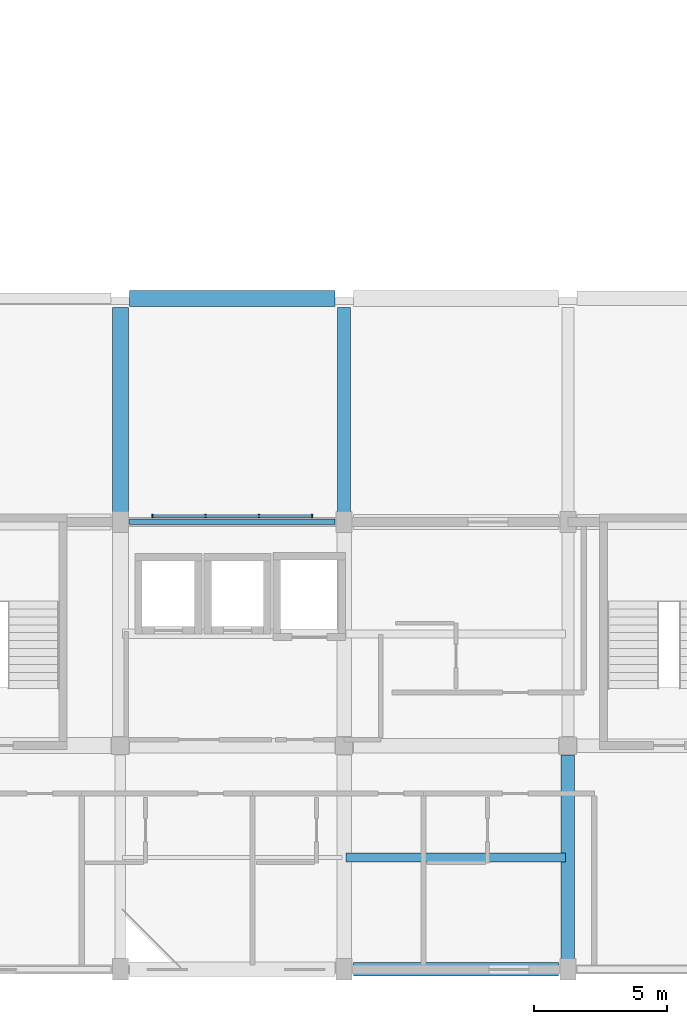
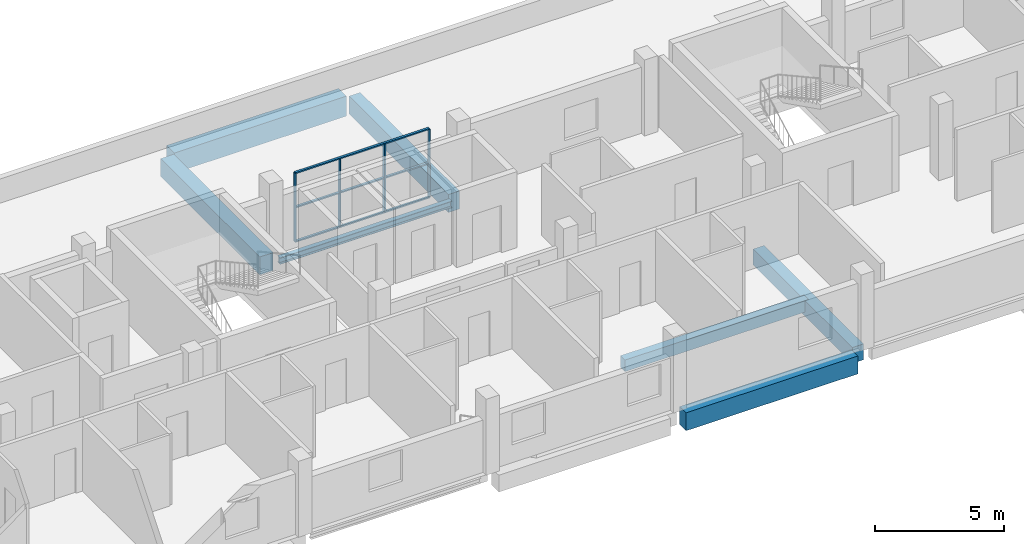
# One storey, part 5 of 42: 7 beams, 7 members, 1 element without a shape of its own.
"""IFC4 building model written with IfcOpenShell, lengths in metres."""

from ifc_helpers import new_model, si_unit, derived_unit, direction, frame, origin, origin_2d, place, context, subcontext, project, spatial, rectangle, i_section, extrude, material, material_profile, profile_set, type_object, element, aggregate, save


model = new_model("IFC4")

# Units and contexts
model_context = context("Model", 3, precision=1e-05, world=origin(), true_north=direction((0.0, 1.0)))
body_context = subcontext(model_context, "Body", "Model", "MODEL_VIEW")
ifc_project = project(units=[si_unit("LENGTHUNIT", "METRE"), si_unit("AREAUNIT", "SQUARE_METRE"), si_unit("VOLUMEUNIT", "CUBIC_METRE"), si_unit("PLANEANGLEUNIT", "RADIAN"), si_unit("MASSUNIT", "GRAM", prefix="KILO"), derived_unit("THERMALTRANSMITTANCEUNIT", [(si_unit("POWERUNIT", "WATT"), 1), (si_unit("LENGTHUNIT", "METRE"), -2), (si_unit("THERMODYNAMICTEMPERATUREUNIT", "KELVIN"), -1)])], contexts=[model_context])

# Site, building, storey
site_placement = place(None, origin())
site = spatial("IfcSite", under=ifc_project, at=site_placement, CompositionType="ELEMENT")
building_placement = place(site_placement, origin())
building = spatial("IfcBuilding", under=site, at=building_placement, Name="Barrovel Congress Hotel", CompositionType="ELEMENT")
storey_placement = place(building_placement, frame((0.0, 0.0, 18.300048828125)))
storey = spatial("IfcBuildingStorey", under=building, at=storey_placement, Name="L04", CompositionType="ELEMENT", Elevation=18.300048828125)

# Beams
ifc_material_1 = material(Name="Concrete C40", Category="concrete")
ifc_material_profile_1 = material_profile(ifc_material_1, rectangle(XDim=0.35009765625, YDim=0.550048828125, at=origin_2d()), Name="RC350x550")
ifc_profile_set_1 = profile_set([ifc_material_profile_1], Name="Concrete C40")
beam_type_1 = type_object("IfcBeamType", Name="BM-RC350x550", PredefinedType="JOIST", material=ifc_profile_set_1)
beam_1_placement = place(storey_placement, frame((92.47998046875, 8.39990234375, -0.574951171875), z_axis=(1.0, 0.0, 0.0), x_axis=(0.0, 1.0, 0.0)))
element("IfcBeam", 1, at=beam_1_placement, inside=storey, type_object=beam_type_1, Name="JST:L04:92.4:8.4", PredefinedType="JOIST", context=body_context, shape_type="SweptSolid", body=[
    extrude(rectangle(XDim=0.35009765625, YDim=0.550048828125, at=origin_2d()), origin(), (0.0, 0.0, 1.0), 8.239990234375),
])
ifc_material_profile_2 = material_profile(ifc_material_1, rectangle(XDim=0.5, YDim=0.75, at=origin_2d()), Name="RC500x750")
ifc_profile_set_2 = profile_set([ifc_material_profile_2], Name="Concrete C40")
beam_type_2 = type_object("IfcBeamType", Name="BM-RC500x750", PredefinedType="BEAM", material=ifc_profile_set_2)
beam_2_placement = place(storey_placement, frame((100.800048828125, 4.550048828125, -0.675048828125), z_axis=(0.0, 1.0, 0.0), x_axis=(-1.0, 0.0, 0.0)))
element("IfcBeam", 2, at=beam_2_placement, inside=storey, type_object=beam_type_2, Name="BMY:L04:100.8:4.2-12.6", PredefinedType="BEAM", context=body_context, shape_type="SweptSolid", body=[
    extrude(rectangle(XDim=0.5, YDim=0.75, at=origin_2d()), origin(), (0.0, 0.0, 1.0), 7.699951171875),
])
ifc_material_profile_3 = material_profile(ifc_material_1, rectangle(XDim=0.5, YDim=0.85009765625, at=origin_2d()), Name="RC500x850")
ifc_profile_set_3 = profile_set([ifc_material_profile_3], Name="Concrete C40")
beam_type_3 = type_object("IfcBeamType", Name="BM-RC500x850", PredefinedType="BEAM", material=ifc_profile_set_3)
for number, where, z_axis, x_axis, name in (
    (3, (92.75, 4.199951171875, -0.72509765625), (1.0, 0.0, 0.0), (0.0, 1.0, 0.0), "BMX:L04:4.2:92.4-100.8"),
    (4, (92.39990234375, 21.35009765625, -0.72509765625), (0.0, 1.0, 0.0), (-1.0, 0.0, 0.0), "BMY:L04:92.4:21.0-29.4"),
):
    element("IfcBeam", number, at=place(storey_placement, frame(where, z_axis=z_axis, x_axis=x_axis)), inside=storey, type_object=beam_type_3, Name=name, PredefinedType="BEAM", context=body_context, shape_type="SweptSolid", body=[
        extrude(rectangle(XDim=0.5, YDim=0.85009765625, at=origin_2d()), origin(), (0.0, 0.0, 1.0), 7.699951171875),
    ])
ifc_material_profile_4 = material_profile(ifc_material_1, rectangle(XDim=0.60009765625, YDim=0.85009765625, at=origin_2d()), Name="RC600x850")
ifc_profile_set_4 = profile_set([ifc_material_profile_4], Name="Concrete C40")
beam_type_4 = type_object("IfcBeamType", Name="BM-RC600x850", PredefinedType="BEAM", material=ifc_profile_set_4)
beam_3_placement = place(storey_placement, frame((84.0, 21.35009765625, -0.72509765625), z_axis=(0.0, 1.0, 0.0), x_axis=(-1.0, 0.0, 0.0)))
element("IfcBeam", 5, at=beam_3_placement, inside=storey, type_object=beam_type_4, Name="BMY:L04:84.0:21.0-29.4", PredefinedType="BEAM", context=body_context, shape_type="SweptSolid", body=[
    extrude(rectangle(XDim=0.60009765625, YDim=0.85009765625, at=origin_2d()), origin(), (0.0, 0.0, 1.0), 7.699951171875),
])
ifc_material_profile_5 = material_profile(ifc_material_1, rectangle(XDim=0.60009765625, YDim=0.949951171875, at=origin_2d()), Name="RC600x950")
ifc_profile_set_5 = profile_set([ifc_material_profile_5], Name="Concrete C40")
beam_type_5 = type_object("IfcBeamType", Name="BM-RC600x950", PredefinedType="BEAM", material=ifc_profile_set_5)
beam_4_placement = place(storey_placement, frame((84.35009765625, 29.39990234375, -0.775146484375), z_axis=(1.0, 0.0, 0.0), x_axis=(0.0, 1.0, 0.0)))
element("IfcBeam", 6, at=beam_4_placement, inside=storey, type_object=beam_type_5, Name="BMX:L04:29.4:84.0-92.4", PredefinedType="BEAM", context=body_context, shape_type="SweptSolid", body=[
    extrude(rectangle(XDim=0.60009765625, YDim=0.949951171875, at=origin_2d()), origin(), (0.0, 0.0, 1.0), 7.699951171875),
])

# Curtain wall, members
ifc_material_2 = material(Name="Anodised Aluminium Alloy 6063-T6", Category="aluminium")
curtain_wall_type = type_object("IfcCurtainWallType", Name="CW-UN-6000x3200", PredefinedType="USERDEFINED", material=ifc_material_2)
curtain_wall_placement = place(storey_placement, origin())
curtain_wall = element("IfcCurtainWall", 7, at=curtain_wall_placement, inside=storey, type_object=curtain_wall_type, Name="CW:L04:UN-4", ObjectType="UNITISED CURTAIN WALL", PredefinedType="USERDEFINED")
ifc_material_profile_6 = material_profile(ifc_material_2, rectangle(XDim=0.06005859375, YDim=0.139892578125, at=origin_2d()), Name="AL-M60x140")
ifc_profile_set_6 = profile_set([ifc_material_profile_6], Name="Anodised Aluminium Alloy 6063-T6")
member_type_1 = type_object("IfcMemberType", Name="CWM-AL-M60x140", PredefinedType="MULLION", material=ifc_profile_set_6)
member_1_placement = place(storey_placement, frame((85.199951171875, 21.219970703125, 0.0), z_axis=(0.0, 0.0, 1.0), x_axis=(1.0, 0.0, 0.0)))
member_1 = element("IfcMember", 8, at=member_1_placement, type_object=member_type_1, Name="CW:L04:UN-4:M0", PredefinedType="MULLION", context=body_context, shape_type="SweptSolid", body=[
    extrude(rectangle(XDim=0.06005859375, YDim=0.139892578125, at=origin_2d()), origin(), (0.0, 0.0, 1.0), 3.25),
])
member_2_placement = place(storey_placement, frame((87.199951171875, 21.219970703125, 0.0), z_axis=(0.0, 0.0, 1.0), x_axis=(1.0, 0.0, 0.0)))
member_2 = element("IfcMember", 9, at=member_2_placement, type_object=member_type_1, Name="CW:L04:UN-4:M1", PredefinedType="MULLION", context=body_context, shape_type="SweptSolid", body=[
    extrude(rectangle(XDim=0.06005859375, YDim=0.139892578125, at=origin_2d()), origin(), (0.0, 0.0, 1.0), 3.25),
])
member_3_placement = place(storey_placement, frame((89.199951171875, 21.219970703125, 0.0), z_axis=(0.0, 0.0, 1.0), x_axis=(1.0, 0.0, 0.0)))
member_3 = element("IfcMember", 10, at=member_3_placement, type_object=member_type_1, Name="CW:L04:UN-4:M2", PredefinedType="MULLION", context=body_context, shape_type="SweptSolid", body=[
    extrude(rectangle(XDim=0.06005859375, YDim=0.139892578125, at=origin_2d()), origin(), (0.0, 0.0, 1.0), 3.25),
])
member_4_placement = place(storey_placement, frame((91.199951171875, 21.219970703125, 0.0), z_axis=(0.0, 0.0, 1.0), x_axis=(1.0, 0.0, 0.0)))
member_4 = element("IfcMember", 11, at=member_4_placement, type_object=member_type_1, Name="CW:L04:UN-4:M3", PredefinedType="MULLION", context=body_context, shape_type="SweptSolid", body=[
    extrude(rectangle(XDim=0.06005859375, YDim=0.139892578125, at=origin_2d()), origin(), (0.0, 0.0, 1.0), 3.25),
])
ifc_material_profile_7 = material_profile(ifc_material_2, rectangle(XDim=0.10498046875, YDim=0.06005859375, at=origin_2d()), Name="AL-T60x105")
ifc_profile_set_7 = profile_set([ifc_material_profile_7], Name="Anodised Aluminium Alloy 6063-T6")
member_type_2 = type_object("IfcMemberType", Name="CWT-AL-T60x105", PredefinedType="USERDEFINED", material=ifc_profile_set_7)
member_5_placement = place(storey_placement, frame((85.199951171875, 21.219970703125, 0.0), z_axis=(1.0, 0.0, 0.0), x_axis=(0.0, 1.0, 0.0)))
member_5 = element("IfcMember", 12, at=member_5_placement, type_object=member_type_2, Name="CW:L04:UN-4:T0", ObjectType="TRANSOM", PredefinedType="USERDEFINED", context=body_context, shape_type="SweptSolid", body=[
    extrude(rectangle(XDim=0.10498046875, YDim=0.06005859375, at=origin_2d()), origin(), (0.0, 0.0, 1.0), 6.0),
])
member_6_placement = place(storey_placement, frame((85.199951171875, 21.219970703125, 1.625), z_axis=(1.0, 0.0, 0.0), x_axis=(0.0, 1.0, 0.0)))
member_6 = element("IfcMember", 13, at=member_6_placement, type_object=member_type_2, Name="CW:L04:UN-4:T1", ObjectType="TRANSOM", PredefinedType="USERDEFINED", context=body_context, shape_type="SweptSolid", body=[
    extrude(rectangle(XDim=0.10498046875, YDim=0.06005859375, at=origin_2d()), origin(), (0.0, 0.0, 1.0), 6.0),
])
member_7_placement = place(storey_placement, frame((85.199951171875, 21.219970703125, 3.25), z_axis=(1.0, 0.0, 0.0), x_axis=(0.0, 1.0, 0.0)))
member_7 = element("IfcMember", 14, at=member_7_placement, type_object=member_type_2, Name="CW:L04:UN-4:T2", ObjectType="TRANSOM", PredefinedType="USERDEFINED", context=body_context, shape_type="SweptSolid", body=[
    extrude(rectangle(XDim=0.10498046875, YDim=0.06005859375, at=origin_2d()), origin(), (0.0, 0.0, 1.0), 6.0),
])
aggregate(curtain_wall, [member_1, member_2, member_3, member_4, member_5, member_6, member_7])

# Beam
ifc_material_3 = material(Name="Steel ASTM A992 Grade 50", Category="steel")
ifc_material_profile_8 = material_profile(ifc_material_3, i_section(OverallWidth=0.205078125, OverallDepth=0.31005859375, WebThickness=0.009521484375, FlangeThickness=0.016357421875, FilletRadius=0.012939453125, at=origin_2d()), Name="W310x74")
ifc_profile_set_8 = profile_set([ifc_material_profile_8], Name="Steel ASTM A992 Grade 50")
beam_type_6 = type_object("IfcBeamType", Name="SBM-W310x74", PredefinedType="SPANDREL", material=ifc_profile_set_8)
beam_5_placement = place(storey_placement, frame((84.35009765625, 21.0, -0.455078125), z_axis=(1.0, 0.0, 0.0), x_axis=(0.0, 1.0, 0.0)))
element("IfcBeam", 15, at=beam_5_placement, inside=storey, type_object=beam_type_6, Name="BMX:L04:21.0:84.0-92.4", PredefinedType="SPANDREL", context=body_context, shape_type="SweptSolid", body=[
    extrude(i_section(OverallWidth=0.205078125, OverallDepth=0.31005859375, WebThickness=0.009521484375, FlangeThickness=0.016357421875, FilletRadius=0.012939453125, at=origin_2d()), origin(), (0.0, 0.0, 1.0), 7.699951171875),
])

save(model, "model.ifc")
